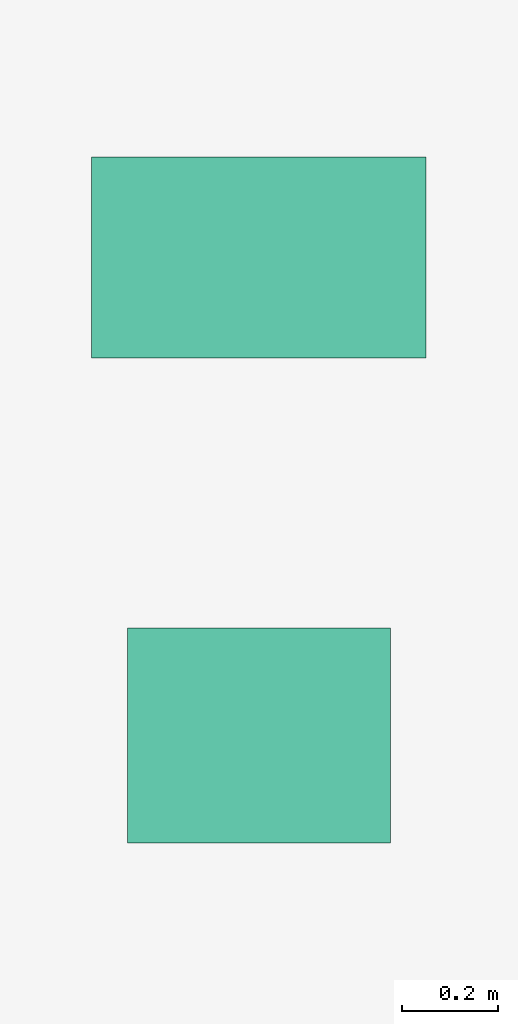
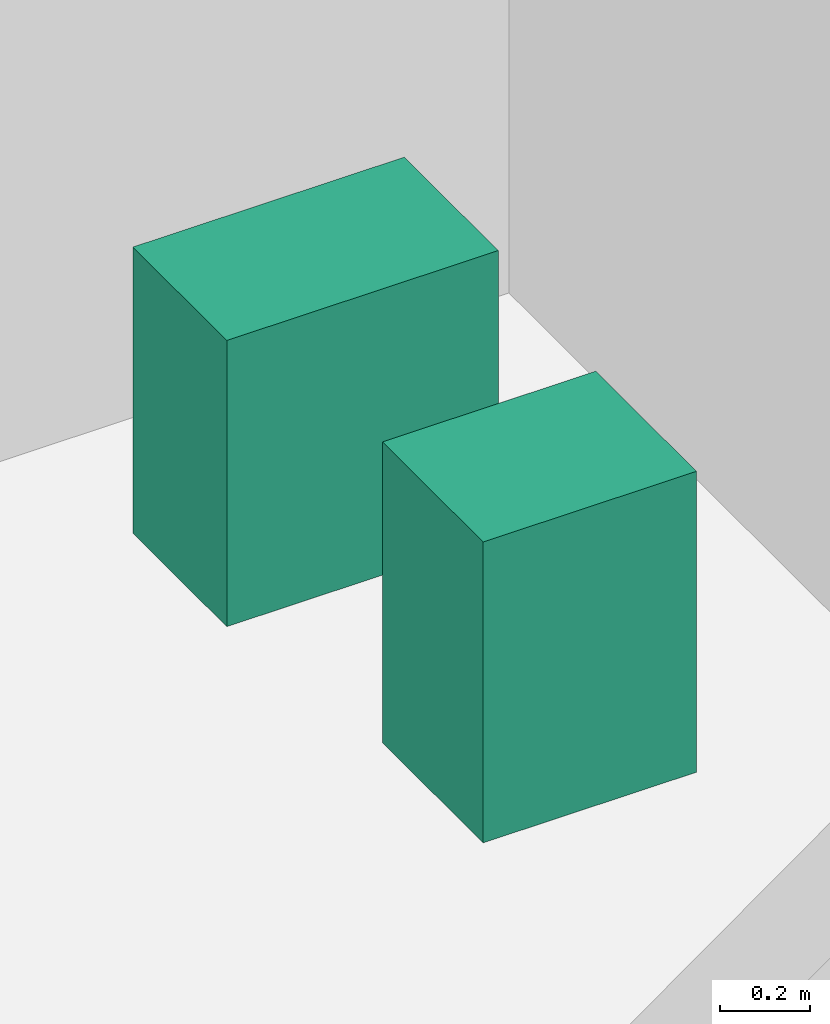
# One storey, part 28 of 28: 2 sanitary terminals.
"""IFC4 building model written with IfcOpenShell, lengths in metres."""

from ifc_helpers import new_model, si_unit, direction, frame, origin, origin_2d, place, context, subcontext, project, spatial, rectangle, extrude, source, transform, mapped, material, type_object, element, save


model = new_model("IFC4")

# Units and contexts
model_context = context("Model", 3, precision=1e-05, world=origin(), true_north=direction((0.0, 1.0)))
body_context = subcontext(model_context, "Body", "Model", "MODEL_VIEW")
ifc_project = project(units=[si_unit("LENGTHUNIT", "METRE"), si_unit("AREAUNIT", "SQUARE_METRE"), si_unit("VOLUMEUNIT", "CUBIC_METRE"), si_unit("PLANEANGLEUNIT", "RADIAN"), si_unit("MASSUNIT", "GRAM", prefix="KILO")], contexts=[model_context])

# Site, building, storey
site_placement = place(None, origin())
site = spatial("IfcSite", under=ifc_project, at=site_placement, CompositionType="ELEMENT")
building_placement = place(site_placement, origin())
building = spatial("IfcBuilding", under=site, at=building_placement, Name="Sumidabori Civic Tower", CompositionType="ELEMENT")
storey_placement = place(building_placement, frame((0.0, 0.0, 178.39990234375)))
storey = spatial("IfcBuildingStorey", under=building, at=storey_placement, Name="L46", CompositionType="ELEMENT", Elevation=178.39990234375)

# Sanitary terminals
ifc_material = material(Name="Vitreous Sanitary Porcelain")
sanitary_terminal_type_1 = type_object("IfcSanitaryTerminalType", Name="SN-WC-1", PredefinedType="TOILETPAN", material=ifc_material)
shared_shape_1 = source(origin(), body_context, "Body", "SweptSolid", [
    extrude(rectangle(XDim=0.699951171875, YDim=0.419921875, at=origin_2d()), origin(), (0.0, 0.0, 1.0), 0.780029296875),
])
sanitary_terminal_1_placement = place(storey_placement, frame((10.800048828125, 21.85009765625, 0.0), z_axis=(0.0, 0.0, 1.0), x_axis=(1.0, 0.0, 0.0)))
element("IfcSanitaryTerminal", 1, at=sanitary_terminal_1_placement, inside=storey, type_object=sanitary_terminal_type_1, Name="Accessible WC Pan L46", PredefinedType="TOILETPAN", context=body_context, shape_type="MappedRepresentation", body=[
    mapped(shared_shape_1, transform((0.0, 0.0, 0.0), x_axis=(1.0, 0.0, 0.0), y_axis=(0.0, 1.0, 0.0), z_axis=(0.0, 0.0, 1.0), scale=1.0)),
])
sanitary_terminal_type_2 = type_object("IfcSanitaryTerminalType", Name="SN-BAS-1", PredefinedType="WASHHANDBASIN", material=ifc_material)
shared_shape_2 = source(origin(), body_context, "Body", "SweptSolid", [
    extrude(rectangle(XDim=0.550048828125, YDim=0.449951171875, at=origin_2d()), origin(), (0.0, 0.0, 1.0), 0.820068359375),
])
sanitary_terminal_2_placement = place(storey_placement, frame((10.800048828125, 20.85009765625, 0.0), z_axis=(0.0, 0.0, 1.0), x_axis=(1.0, 0.0, 0.0)))
element("IfcSanitaryTerminal", 2, at=sanitary_terminal_2_placement, inside=storey, type_object=sanitary_terminal_type_2, Name="Accessible Basin L46", PredefinedType="WASHHANDBASIN", context=body_context, shape_type="MappedRepresentation", body=[
    mapped(shared_shape_2, transform((0.0, 0.0, 0.0), x_axis=(1.0, 0.0, 0.0), y_axis=(0.0, 1.0, 0.0), z_axis=(0.0, 0.0, 1.0), scale=1.0)),
])

save(model, "model.ifc")
